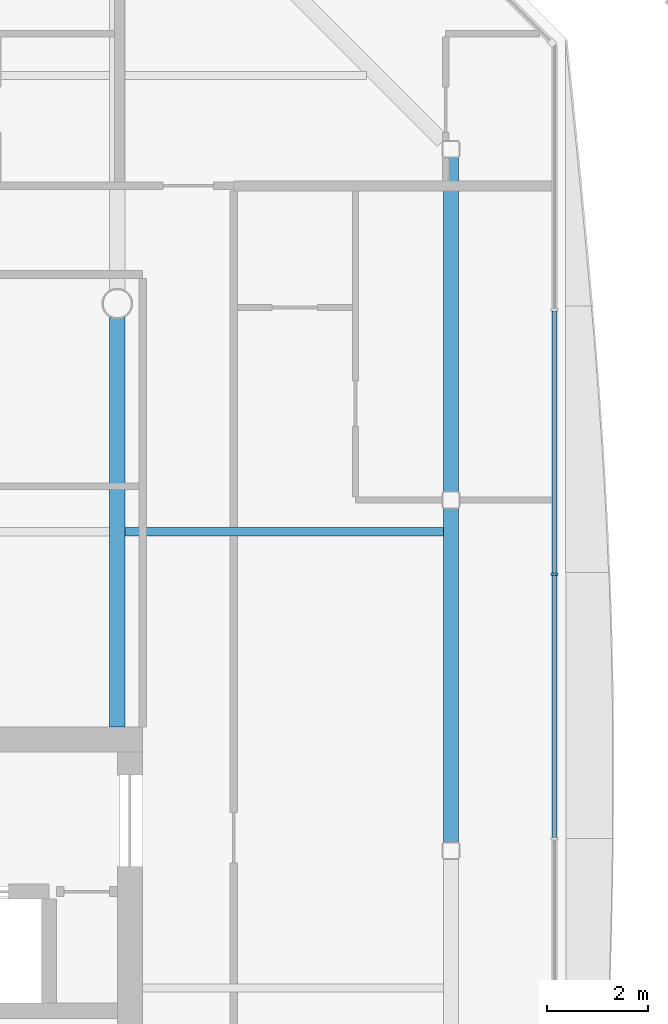
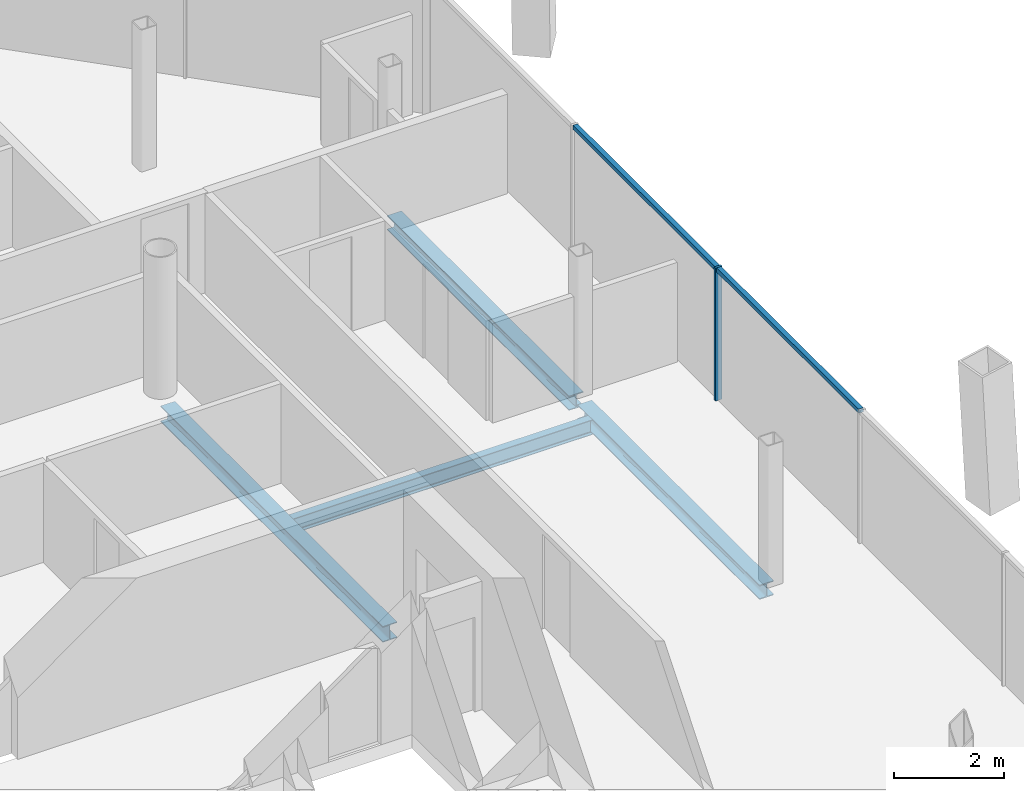
# One storey, part 9 of 20: 4 beams, 3 members, 1 element without a shape of its own.
"""IFC4 building model written with IfcOpenShell, lengths in metres."""

from ifc_helpers import new_model, si_unit, direction, frame, origin, origin_2d, place, context, subcontext, project, spatial, rectangle, i_section, extrude, material, material_profile, profile_set, type_object, element, aggregate, save


model = new_model("IFC4")

# Units and contexts
model_context = context("Model", 3, precision=1e-05, world=origin(), true_north=direction((0.0, 1.0)))
body_context = subcontext(model_context, "Body", "Model", "MODEL_VIEW")
ifc_project = project(units=[si_unit("LENGTHUNIT", "METRE"), si_unit("AREAUNIT", "SQUARE_METRE"), si_unit("VOLUMEUNIT", "CUBIC_METRE"), si_unit("PLANEANGLEUNIT", "RADIAN"), si_unit("MASSUNIT", "GRAM", prefix="KILO")], contexts=[model_context])

# Site, building, storey
site_placement = place(None, origin())
site = spatial("IfcSite", under=ifc_project, at=site_placement, CompositionType="ELEMENT")
building_placement = place(site_placement, origin())
building = spatial("IfcBuilding", under=site, at=building_placement, Name="Tskaro Facet Tower", CompositionType="ELEMENT")
storey_placement = place(building_placement, frame((0.0, 0.0, 187.949951171875)))
storey = spatial("IfcBuildingStorey", under=building, at=storey_placement, Name="L47", CompositionType="ELEMENT", Elevation=187.949951171875)

# Curtain wall, members
ifc_material_1 = material(Name="Bronze anodised aluminium 6063-T6", Category="aluminium")
curtain_wall_type = type_object("IfcCurtainWallType", Name="Bronze residence curtain wall (FW3)", PredefinedType="NOTDEFINED", material=ifc_material_1)
curtain_wall_placement = place(storey_placement, origin())
curtain_wall = element("IfcCurtainWall", 1, at=curtain_wall_placement, inside=storey, type_object=curtain_wall_type, Name="FW3 east facet L47", PredefinedType="NOTDEFINED")
ifc_material_profile_1 = material_profile(ifc_material_1, rectangle(XDim=0.050048828125, YDim=0.139892578125, at=origin_2d()), Name="Mullion 50x140")
ifc_profile_set_1 = profile_set([ifc_material_profile_1], Name="Bronze anodised aluminium 6063-T6")
member_type_1 = type_object("IfcMemberType", Name="FW3 bronze mullion 50x140", PredefinedType="MULLION", material=ifc_profile_set_1)
member_1_placement = place(storey_placement, frame((17.6279296875, 3.66357421875, 0.0), z_axis=(0.0, 0.0, 1.0), x_axis=(0.0, 1.0, 0.0)))
member_1 = element("IfcMember", 2, at=member_1_placement, type_object=member_type_1, Name="FW3 east mullion 4", PredefinedType="MULLION", context=body_context, shape_type="SweptSolid", body=[
    extrude(rectangle(XDim=0.050048828125, YDim=0.139892578125, at=origin_2d()), origin(), (0.0, 0.0, 1.0), 2.949951171875),
])
ifc_material_profile_2 = material_profile(ifc_material_1, rectangle(XDim=0.10009765625, YDim=0.090087890625, at=origin_2d()), Name="Transom 100x90")
ifc_profile_set_2 = profile_set([ifc_material_profile_2], Name="Bronze anodised aluminium 6063-T6")
member_type_2 = type_object("IfcMemberType", Name="FW3 bronze transom 100x90", PredefinedType="USERDEFINED", material=ifc_profile_set_2)
member_2_placement = place(storey_placement, frame((17.6279296875, -1.529541015625, 2.905029296875), z_axis=(0.0, 1.0, 0.0), x_axis=(-1.0, 0.0, 0.0)))
member_2 = element("IfcMember", 3, at=member_2_placement, type_object=member_type_2, Name="FW3 east transom 4.1", ObjectType="TRANSOM", PredefinedType="USERDEFINED", context=body_context, shape_type="SweptSolid", body=[
    extrude(rectangle(XDim=0.10009765625, YDim=0.090087890625, at=origin_2d()), origin(), (0.0, 0.0, 1.0), 5.168212890625),
])
member_3_placement = place(storey_placement, frame((17.6279296875, 3.688720703125, 2.905029296875), z_axis=(0.0, 1.0, 0.0), x_axis=(-1.0, 0.0, 0.0)))
member_3 = element("IfcMember", 4, at=member_3_placement, type_object=member_type_2, Name="FW3 east transom 5.1", ObjectType="TRANSOM", PredefinedType="USERDEFINED", context=body_context, shape_type="SweptSolid", body=[
    extrude(rectangle(XDim=0.10009765625, YDim=0.090087890625, at=origin_2d()), origin(), (0.0, 0.0, 1.0), 5.168212890625),
])
aggregate(curtain_wall, [member_1, member_2, member_3])

# Beams
ifc_material_2 = material(Name="Steel S355J2", Category="steel")
ifc_material_profile_3 = material_profile(ifc_material_2, i_section(OverallWidth=0.300048828125, OverallDepth=0.320068359375, WebThickness=0.011474609375, FlangeThickness=0.0205078125, FilletRadius=0.027099609375, at=origin_2d()), Name="HE 320 B")
ifc_profile_set_3 = profile_set([ifc_material_profile_3], Name="Steel S355J2")
beam_type_1 = type_object("IfcBeamType", Name="HE 320 B ring beam", PredefinedType="BEAM", material=ifc_profile_set_3)
beam_1_placement = place(storey_placement, frame((15.5830078125, -1.637939453125, -0.300048828125), z_axis=(0.0, 1.0, 0.0), x_axis=(-1.0, 0.0, 0.0)))
element("IfcBeam", 5, at=beam_1_placement, inside=storey, type_object=beam_type_1, Name="HE 320 B EB8-4", PredefinedType="BEAM", context=body_context, shape_type="SweptSolid", body=[
    extrude(i_section(OverallWidth=0.300048828125, OverallDepth=0.320068359375, WebThickness=0.011474609375, FlangeThickness=0.0205078125, FilletRadius=0.027099609375, at=origin_2d()), origin(), (0.0, 0.0, 1.0), 6.60888671875),
])
beam_2_placement = place(storey_placement, frame((15.5830078125, 5.281005859375, -0.300048828125), z_axis=(0.0, 1.0, 0.0), x_axis=(-1.0, 0.0, 0.0)))
element("IfcBeam", 6, at=beam_2_placement, inside=storey, type_object=beam_type_1, Name="HE 320 B EB9-4", PredefinedType="BEAM", context=body_context, shape_type="SweptSolid", body=[
    extrude(i_section(OverallWidth=0.300048828125, OverallDepth=0.320068359375, WebThickness=0.011474609375, FlangeThickness=0.0205078125, FilletRadius=0.027099609375, at=origin_2d()), origin(), (0.0, 0.0, 1.0), 6.610107421875),
])
ifc_material_profile_4 = material_profile(ifc_material_2, i_section(OverallWidth=0.300048828125, OverallDepth=0.35009765625, WebThickness=0.010009765625, FlangeThickness=0.017578125, FilletRadius=0.027099609375, at=origin_2d()), Name="HE 360 A")
ifc_profile_set_4 = profile_set([ifc_material_profile_4], Name="Steel S355J2")
beam_type_2 = type_object("IfcBeamType", Name="HE 360 A girder", PredefinedType="BEAM", material=ifc_profile_set_4)
beam_3_placement = place(storey_placement, frame((9.0, 0.64990234375, -0.31494140625), z_axis=(0.0, 1.0, 0.0), x_axis=(-1.0, 0.0, 0.0)))
element("IfcBeam", 7, at=beam_3_placement, inside=storey, type_object=beam_type_2, Name="HE 360 A GB5-2-4", PredefinedType="BEAM", context=body_context, shape_type="SweptSolid", body=[
    extrude(i_section(OverallWidth=0.300048828125, OverallDepth=0.35009765625, WebThickness=0.010009765625, FlangeThickness=0.017578125, FilletRadius=0.027099609375, at=origin_2d()), origin(), (0.0, 0.0, 1.0), 8.0751953125),
])
ifc_material_profile_5 = material_profile(ifc_material_2, i_section(OverallWidth=0.159912109375, OverallDepth=0.330078125, WebThickness=0.007568359375, FlangeThickness=0.011474609375, FilletRadius=0.01806640625, at=origin_2d()), Name="IPE 330")
ifc_profile_set_5 = profile_set([ifc_material_profile_5], Name="Steel S355J2")
beam_type_3 = type_object("IfcBeamType", Name="IPE 330 secondary beam", PredefinedType="BEAM", material=ifc_profile_set_5)
beam_4_placement = place(storey_placement, frame((9.14990234375, 4.5, -0.304931640625), z_axis=(1.0, 0.0, 0.0), x_axis=(0.0, 1.0, 0.0)))
element("IfcBeam", 8, at=beam_4_placement, inside=storey, type_object=beam_type_3, Name="IPE 330 SB4a-5-4", PredefinedType="BEAM", context=body_context, shape_type="SweptSolid", body=[
    extrude(i_section(OverallWidth=0.159912109375, OverallDepth=0.330078125, WebThickness=0.007568359375, FlangeThickness=0.011474609375, FilletRadius=0.01806640625, at=origin_2d()), origin(), (0.0, 0.0, 1.0), 6.283203125),
])

save(model, "model.ifc")
